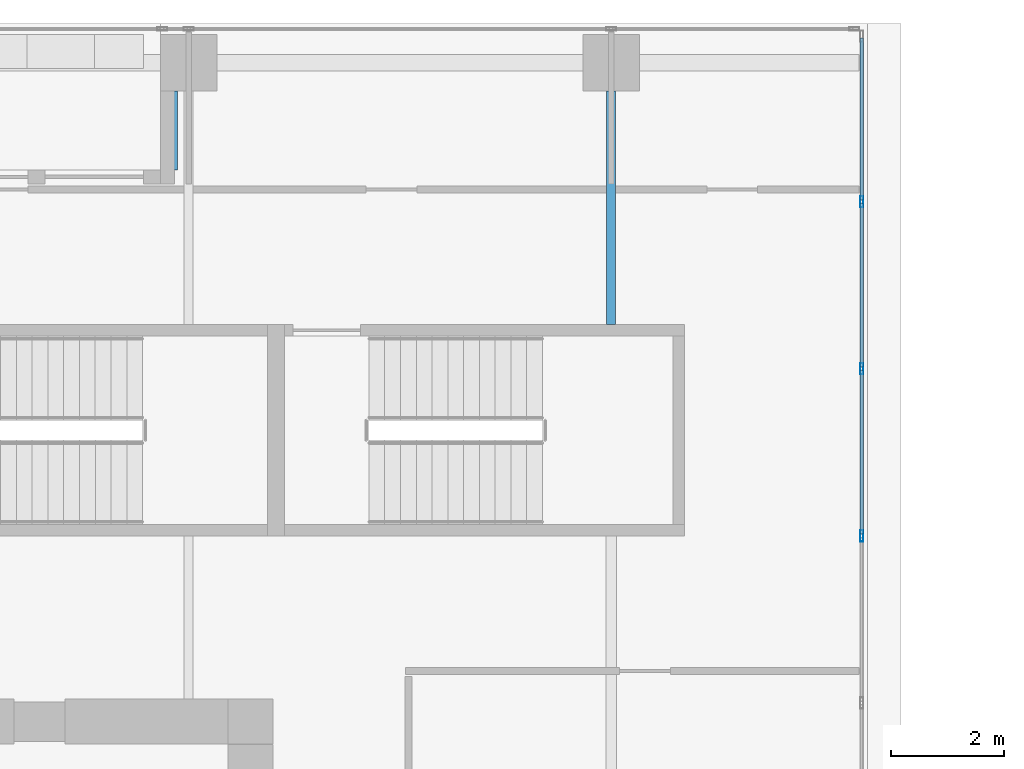
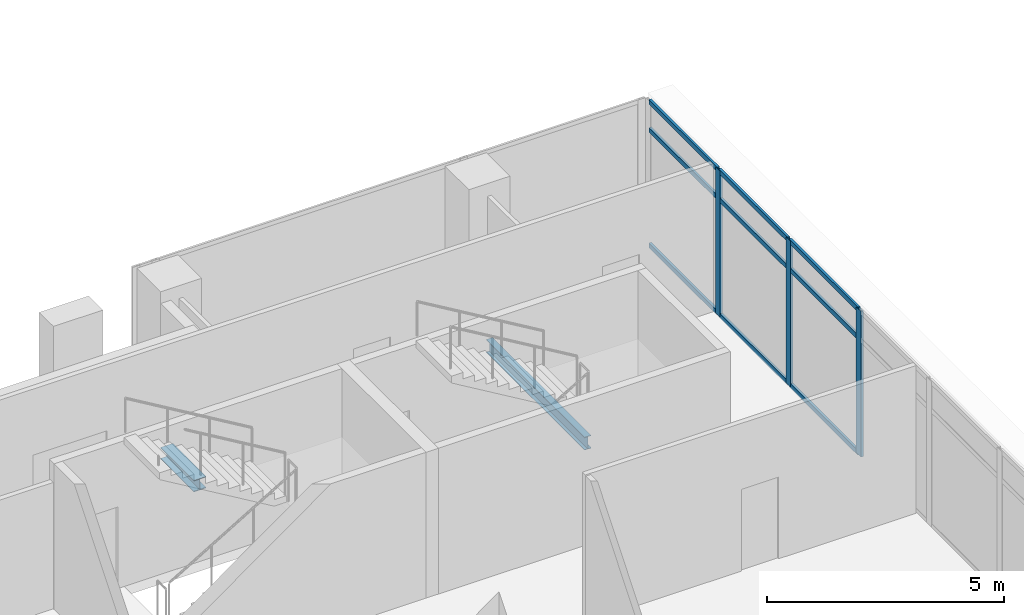
# One storey, part 21 of 37: 12 members, 2 beams, 1 element without a shape of its own.
"""IFC4 building model written with IfcOpenShell, lengths in metres."""

from ifc_helpers import new_model, si_unit, direction, frame, origin, origin_2d, place, context, subcontext, project, spatial, hollow_rectangle, i_section, extrude, source, transform, mapped, material, material_profile, profile_set, type_object, element, aggregate, save


model = new_model("IFC4")

# Units and contexts
model_context = context("Model", 3, precision=1e-05, world=origin(), true_north=direction((0.0, 1.0)))
body_context = subcontext(model_context, "Body", "Model", "MODEL_VIEW")
ifc_project = project(units=[si_unit("LENGTHUNIT", "METRE"), si_unit("AREAUNIT", "SQUARE_METRE"), si_unit("VOLUMEUNIT", "CUBIC_METRE"), si_unit("PLANEANGLEUNIT", "RADIAN"), si_unit("MASSUNIT", "GRAM", prefix="KILO")], contexts=[model_context])

# Site, building, storey
site_placement = place(None, origin())
site = spatial("IfcSite", under=ifc_project, at=site_placement, CompositionType="ELEMENT")
building_placement = place(site_placement, origin())
building = spatial("IfcBuilding", under=site, at=building_placement, Name="Khomas Fold Tower", CompositionType="ELEMENT")
storey_placement = place(building_placement, frame((0.0, 0.0, 168.699951171875)))
storey = spatial("IfcBuildingStorey", under=building, at=storey_placement, Name="L36", CompositionType="ELEMENT", Elevation=168.699951171875)

# Beams
ifc_material_1 = material(Name="Steel S355", Category="steel")
ifc_material_profile_1 = material_profile(ifc_material_1, i_section(OverallWidth=0.159912109375, OverallDepth=0.330078125, WebThickness=0.007568359375, FlangeThickness=0.011474609375, at=origin_2d()), Name="IPE 330")
ifc_profile_set_1 = profile_set([ifc_material_profile_1], Name="Steel S355")
beam_type_1 = type_object("IfcBeamType", Name="IPE 330 beam JB1", PredefinedType="BEAM", material=ifc_profile_set_1)
shared_shape_1 = source(origin(), body_context, "Body", "SweptSolid", [
    extrude(i_section(OverallWidth=0.159912109375, OverallDepth=0.330078125, WebThickness=0.007568359375, FlangeThickness=0.011474609375, at=origin_2d()), origin(), (0.0, 0.0, 1.0), 4.150146484375),
])
beam_1_placement = place(storey_placement, frame((27.0, 45.64990234375, -0.4150390625), z_axis=(0.0, 1.0, 0.0), x_axis=(-1.0, 0.0, 0.0)))
element("IfcBeam", 1, at=beam_1_placement, inside=storey, type_object=beam_type_1, Name="JB1", PredefinedType="BEAM", context=body_context, shape_type="MappedRepresentation", body=[
    mapped(shared_shape_1, transform((0.0, 0.0, 0.0))),
])
ifc_material_2 = material(Name="Steel S355", Category="steel")
ifc_material_profile_2 = material_profile(ifc_material_2, i_section(OverallWidth=0.300048828125, OverallDepth=0.300048828125, WebThickness=0.010986328125, FlangeThickness=0.01904296875, at=origin_2d()), Name="HE 300 B")
ifc_profile_set_2 = profile_set([ifc_material_profile_2], Name="Steel S355")
beam_type_2 = type_object("IfcBeamType", Name="HE 300 B beam BB1", PredefinedType="BEAM", material=ifc_profile_set_2)
shared_shape_2 = source(origin(), body_context, "Body", "SweptSolid", [
    extrude(i_section(OverallWidth=0.300048828125, OverallDepth=0.300048828125, WebThickness=0.010986328125, FlangeThickness=0.01904296875, at=origin_2d()), origin(), (0.0, 0.0, 1.0), 1.400146484375),
])
beam_2_placement = place(storey_placement, frame((19.14990234375, 48.39990234375, -0.39990234375), z_axis=(0.0, 1.0, 0.0), x_axis=(-1.0, 0.0, 0.0)))
element("IfcBeam", 2, at=beam_2_placement, inside=storey, type_object=beam_type_2, Name="BB1", PredefinedType="BEAM", context=body_context, shape_type="MappedRepresentation", body=[
    mapped(shared_shape_2, transform((0.0, 0.0, 0.0))),
])

# Curtain wall, members
ifc_material_3 = material(Name="Aluminium framed double glazing", Category="aluminium")
curtain_wall_type = type_object("IfcCurtainWallType", Name="Notch glazing GN-CW", PredefinedType="NOTDEFINED", material=ifc_material_3)
curtain_wall_placement = place(storey_placement, origin())
curtain_wall = element("IfcCurtainWall", 3, at=curtain_wall_placement, inside=storey, type_object=curtain_wall_type, Name="Notch glazing run", PredefinedType="NOTDEFINED")
ifc_material_4 = material(Name="Aluminium", Category="aluminium")
ifc_material_profile_3 = material_profile(ifc_material_4, hollow_rectangle(XDim=0.06005859375, YDim=0.1201171875, WallThickness=0.00390625, at=origin_2d()), Name="Notch glazing transom GN-CW-T")
ifc_profile_set_3 = profile_set([ifc_material_profile_3], Name="Aluminium")
member_type_1 = type_object("IfcMemberType", Name="Notch glazing transom GN-CW-T", PredefinedType="USERDEFINED", material=ifc_profile_set_3)
shared_shape_3 = source(origin(), body_context, "Body", "SweptSolid", [
    extrude(hollow_rectangle(XDim=0.06005859375, YDim=0.1201171875, WallThickness=0.00390625, at=origin_2d()), origin(), (0.0, 0.0, 1.0), 2.876708984375),
])
member_1_placement = place(storey_placement, frame((31.449951171875, 47.86328125, 0.030029296875), z_axis=(0.0, 1.0, 0.0), x_axis=(-1.0, 0.0, 0.0)))
member_1 = element("IfcMember", 4, at=member_1_placement, type_object=member_type_1, Name="GN-CW transom 6.1", ObjectType="TRANSOM", PredefinedType="USERDEFINED", context=body_context, shape_type="MappedRepresentation", body=[
    mapped(shared_shape_3, transform((0.0, 0.0, 0.0))),
])
member_2_placement = place(storey_placement, frame((31.449951171875, 47.86328125, 3.0), z_axis=(0.0, 1.0, 0.0), x_axis=(-1.0, 0.0, 0.0)))
member_2 = element("IfcMember", 5, at=member_2_placement, type_object=member_type_1, Name="GN-CW transom 6.2", ObjectType="TRANSOM", PredefinedType="USERDEFINED", context=body_context, shape_type="MappedRepresentation", body=[
    mapped(shared_shape_3, transform((0.0, 0.0, 0.0))),
])
member_3_placement = place(storey_placement, frame((31.449951171875, 47.86328125, 3.719970703125), z_axis=(0.0, 1.0, 0.0), x_axis=(-1.0, 0.0, 0.0)))
member_3 = element("IfcMember", 6, at=member_3_placement, type_object=member_type_1, Name="GN-CW transom 6.3", ObjectType="TRANSOM", PredefinedType="USERDEFINED", context=body_context, shape_type="MappedRepresentation", body=[
    mapped(shared_shape_3, transform((0.0, 0.0, 0.0))),
])
shared_shape_4 = source(origin(), body_context, "Body", "SweptSolid", [
    extrude(hollow_rectangle(XDim=0.06005859375, YDim=0.1201171875, WallThickness=0.00390625, at=origin_2d()), origin(), (0.0, 0.0, 1.0), 2.90673828125),
])
member_4_placement = place(storey_placement, frame((31.449951171875, 41.929931640625, 0.030029296875), z_axis=(0.0, 1.0, 0.0), x_axis=(-1.0, 0.0, 0.0)))
member_4 = element("IfcMember", 7, at=member_4_placement, type_object=member_type_1, Name="GN-CW transom 4.1", ObjectType="TRANSOM", PredefinedType="USERDEFINED", context=body_context, shape_type="MappedRepresentation", body=[
    mapped(shared_shape_4, transform((0.0, 0.0, 0.0))),
])
member_5_placement = place(storey_placement, frame((31.449951171875, 41.929931640625, 3.0), z_axis=(0.0, 1.0, 0.0), x_axis=(-1.0, 0.0, 0.0)))
member_5 = element("IfcMember", 8, at=member_5_placement, type_object=member_type_1, Name="GN-CW transom 4.2", ObjectType="TRANSOM", PredefinedType="USERDEFINED", context=body_context, shape_type="MappedRepresentation", body=[
    mapped(shared_shape_4, transform((0.0, 0.0, 0.0))),
])
member_6_placement = place(storey_placement, frame((31.449951171875, 41.929931640625, 3.719970703125), z_axis=(0.0, 1.0, 0.0), x_axis=(-1.0, 0.0, 0.0)))
member_6 = element("IfcMember", 9, at=member_6_placement, type_object=member_type_1, Name="GN-CW transom 4.3", ObjectType="TRANSOM", PredefinedType="USERDEFINED", context=body_context, shape_type="MappedRepresentation", body=[
    mapped(shared_shape_4, transform((0.0, 0.0, 0.0))),
])
shared_shape_5 = source(origin(), body_context, "Body", "SweptSolid", [
    extrude(hollow_rectangle(XDim=0.06005859375, YDim=0.1201171875, WallThickness=0.00390625, at=origin_2d()), origin(), (0.0, 0.0, 1.0), 2.906494140625),
])
member_7_placement = place(storey_placement, frame((31.449951171875, 44.896728515625, 0.030029296875), z_axis=(0.0, 1.0, 0.0), x_axis=(-1.0, 0.0, 0.0)))
member_7 = element("IfcMember", 10, at=member_7_placement, type_object=member_type_1, Name="GN-CW transom 5.1", ObjectType="TRANSOM", PredefinedType="USERDEFINED", context=body_context, shape_type="MappedRepresentation", body=[
    mapped(shared_shape_5, transform((0.0, 0.0, 0.0))),
])
member_8_placement = place(storey_placement, frame((31.449951171875, 44.896728515625, 3.0), z_axis=(0.0, 1.0, 0.0), x_axis=(-1.0, 0.0, 0.0)))
member_8 = element("IfcMember", 11, at=member_8_placement, type_object=member_type_1, Name="GN-CW transom 5.2", ObjectType="TRANSOM", PredefinedType="USERDEFINED", context=body_context, shape_type="MappedRepresentation", body=[
    mapped(shared_shape_5, transform((0.0, 0.0, 0.0))),
])
member_9_placement = place(storey_placement, frame((31.449951171875, 44.896728515625, 3.719970703125), z_axis=(0.0, 1.0, 0.0), x_axis=(-1.0, 0.0, 0.0)))
member_9 = element("IfcMember", 12, at=member_9_placement, type_object=member_type_1, Name="GN-CW transom 5.3", ObjectType="TRANSOM", PredefinedType="USERDEFINED", context=body_context, shape_type="MappedRepresentation", body=[
    mapped(shared_shape_5, transform((0.0, 0.0, 0.0))),
])
ifc_material_5 = material(Name="Aluminium", Category="aluminium")
ifc_material_profile_4 = material_profile(ifc_material_5, hollow_rectangle(XDim=0.06005859375, YDim=0.199951171875, WallThickness=0.00390625, at=origin_2d()), Name="Notch glazing mullion GN-CW-M")
ifc_profile_set_4 = profile_set([ifc_material_profile_4], Name="Aluminium")
member_type_2 = type_object("IfcMemberType", Name="Notch glazing mullion GN-CW-M", PredefinedType="MULLION", material=ifc_profile_set_4)
shared_shape_6 = source(origin(), body_context, "Body", "SweptSolid", [
    extrude(hollow_rectangle(XDim=0.06005859375, YDim=0.199951171875, WallThickness=0.00390625, at=origin_2d()), origin(), (0.0, 0.0, 1.0), 3.75),
])
member_10_placement = place(storey_placement, frame((31.449951171875, 41.89990234375, 0.0), z_axis=(0.0, 0.0, 1.0), x_axis=(-1.0, 0.0, 0.0)))
member_10 = element("IfcMember", 13, at=member_10_placement, type_object=member_type_2, Name="GN-CW mullion 4", PredefinedType="MULLION", context=body_context, shape_type="MappedRepresentation", body=[
    mapped(shared_shape_6, transform((0.0, 0.0, 0.0))),
])
member_11_placement = place(storey_placement, frame((31.449951171875, 44.86669921875, 0.0), z_axis=(0.0, 0.0, 1.0), x_axis=(-1.0, 0.0, 0.0)))
member_11 = element("IfcMember", 14, at=member_11_placement, type_object=member_type_2, Name="GN-CW mullion 5", PredefinedType="MULLION", context=body_context, shape_type="MappedRepresentation", body=[
    mapped(shared_shape_6, transform((0.0, 0.0, 0.0))),
])
member_12_placement = place(storey_placement, frame((31.449951171875, 47.833251953125, 0.0), z_axis=(0.0, 0.0, 1.0), x_axis=(-1.0, 0.0, 0.0)))
member_12 = element("IfcMember", 15, at=member_12_placement, type_object=member_type_2, Name="GN-CW mullion 6", PredefinedType="MULLION", context=body_context, shape_type="MappedRepresentation", body=[
    mapped(shared_shape_6, transform((0.0, 0.0, 0.0))),
])
aggregate(curtain_wall, [member_10, member_11, member_12, member_4, member_5, member_6, member_7, member_8, member_9, member_1, member_2, member_3])

save(model, "model.ifc")
